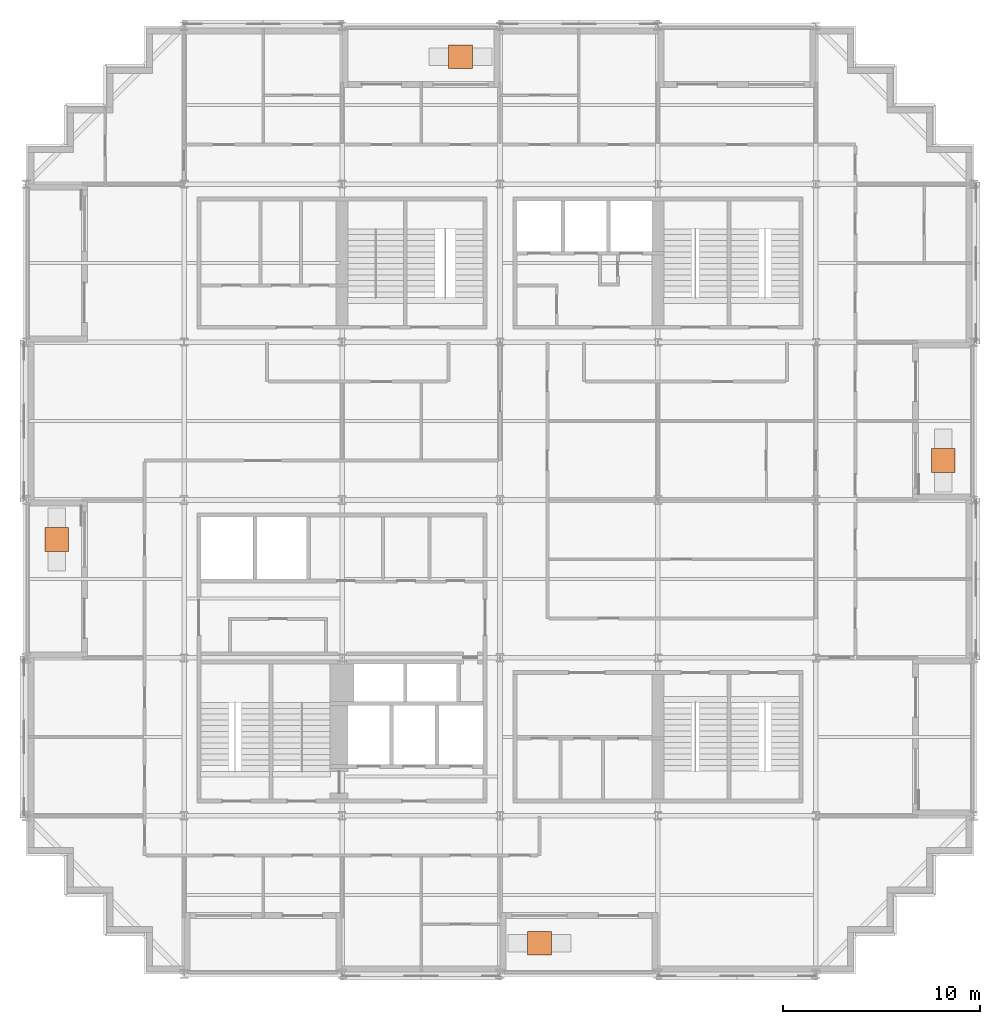
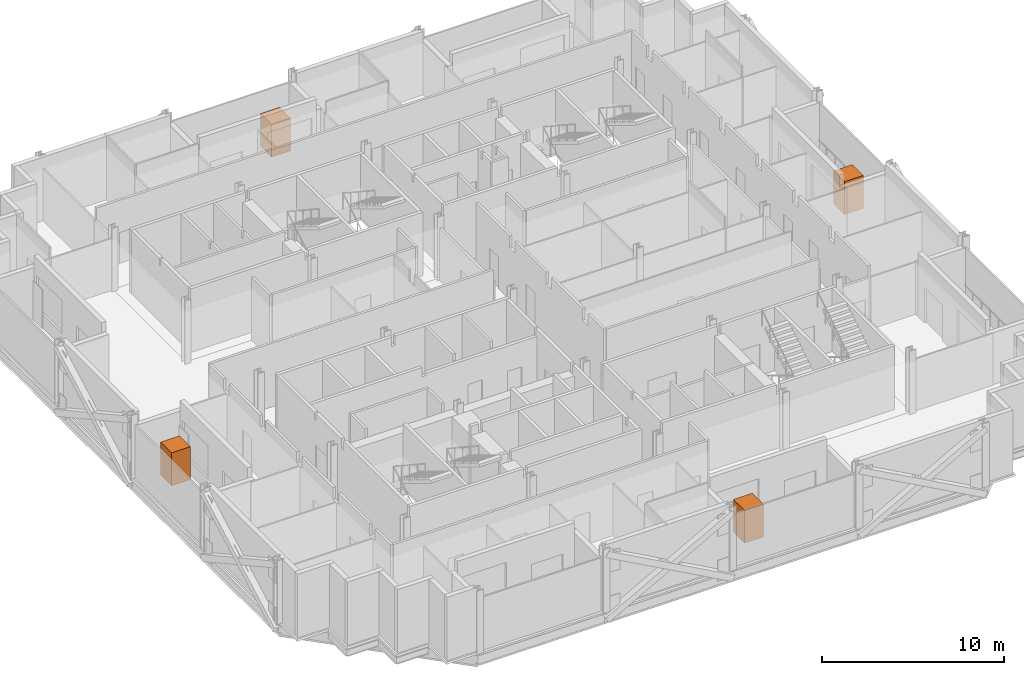
# One storey, part 15 of 15: 4 geographic elements.
"""IFC4 building model written with IfcOpenShell, lengths in metres."""

from ifc_helpers import new_model, si_unit, direction, frame, origin, origin_2d, place, context, subcontext, project, spatial, rectangle, extrude, material, type_object, element, save


model = new_model("IFC4")

# Units and contexts
model_context = context("Model", 3, precision=1e-05, world=origin(), true_north=direction((0.0, 1.0)))
body_context = subcontext(model_context, "Body", "Model", "MODEL_VIEW")
ifc_project = project(units=[si_unit("LENGTHUNIT", "METRE"), si_unit("AREAUNIT", "SQUARE_METRE"), si_unit("VOLUMEUNIT", "CUBIC_METRE"), si_unit("PLANEANGLEUNIT", "RADIAN"), si_unit("MASSUNIT", "GRAM", prefix="KILO")], contexts=[model_context])

# Site, building, storey
site_placement = place(None, origin())
site = spatial("IfcSite", under=ifc_project, at=site_placement, CompositionType="ELEMENT")
building_placement = place(site_placement, origin())
building = spatial("IfcBuilding", under=site, at=building_placement, Name="Immortelle Media Tower", CompositionType="ELEMENT")
storey_placement = place(building_placement, frame((0.0, 0.0, 70.0)))
storey = spatial("IfcBuildingStorey", under=building, at=storey_placement, Name="L12", CompositionType="ELEMENT", Elevation=70.0)

# Geographic elements
ifc_material = material(Name="Tree canopy foliage")
geographic_element_type = type_object("IfcGeographicElementType", Name="Tree", PredefinedType="USERDEFINED", material=ifc_material)
for number, where, z_axis, x_axis, name in (
    (1, (1.550048828125, 22.0, 0.60009765625), (0.0, 0.0, 1.0), (1.0, 0.0, 0.0), "Tree L12 W2"),
    (2, (26.0, 1.550048828125, 0.60009765625), (0.0, 0.0, 1.0), (1.0, 0.0, 0.0), "Tree L12 S2"),
    (3, (46.449951171875, 26.0, 0.60009765625), (0.0, 0.0, 1.0), (1.0, 0.0, 0.0), "Tree L12 E2"),
    (4, (22.0, 46.449951171875, 0.60009765625), (0.0, 0.0, 1.0), (1.0, 0.0, 0.0), "Tree L12 N2"),
):
    element("IfcGeographicElement", number, at=place(storey_placement, frame(where, z_axis=z_axis, x_axis=x_axis)), inside=storey, type_object=geographic_element_type, Name=name, ObjectType="Tree", PredefinedType="USERDEFINED", context=body_context, shape_type="SweptSolid", body=[
        extrude(rectangle(XDim=1.199951171875, YDim=1.199951171875, at=origin_2d()), origin(), (0.0, 0.0, 1.0), 2.199951171875),
    ])

save(model, "model.ifc")
